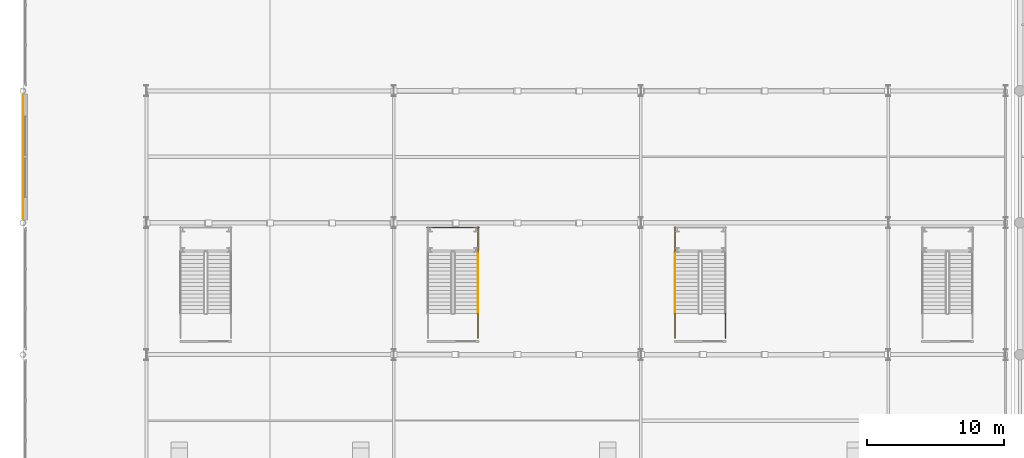
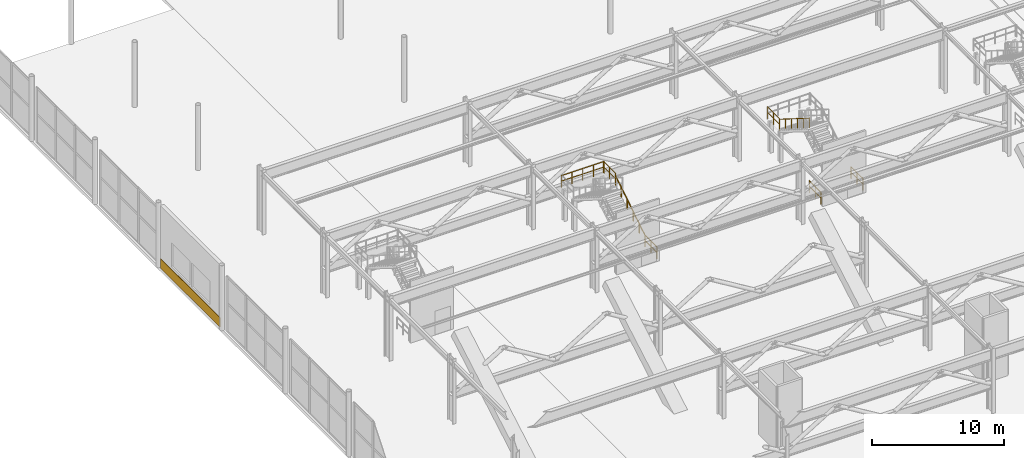
# One storey, part 88 of 113: 8 railings, 1 covering.
"""IFC4 building model written with IfcOpenShell, lengths in metres."""

from ifc_helpers import new_model, si_unit, direction, frame, origin, origin_2d, place, context, subcontext, project, spatial, rectangle, extrude, material, layer, layer_set, type_object, element, save


model = new_model("IFC4")

# Units and contexts
model_context = context("Model", 3, precision=1e-05, world=origin(), true_north=direction((0.0, 1.0)))
body_context = subcontext(model_context, "Body", "Model", "MODEL_VIEW")
ifc_project = project(units=[si_unit("LENGTHUNIT", "METRE"), si_unit("AREAUNIT", "SQUARE_METRE"), si_unit("VOLUMEUNIT", "CUBIC_METRE"), si_unit("PLANEANGLEUNIT", "RADIAN"), si_unit("MASSUNIT", "GRAM", prefix="KILO")], contexts=[model_context])

# Site, building, storey
site_placement = place(None, origin())
site = spatial("IfcSite", under=ifc_project, at=site_placement, CompositionType="ELEMENT")
building_placement = place(site_placement, origin())
building = spatial("IfcBuilding", under=site, at=building_placement, Name="Myrtia Square Station", CompositionType="ELEMENT")
storey_placement = place(building_placement, origin())
storey = spatial("IfcBuildingStorey", under=building, at=storey_placement, Name="L00", CompositionType="ELEMENT", Elevation=0.0)

# Covering
ifc_material_1 = material(Name="Polychrome glazed ceramic tile", Category="masonry")
ifc_layer = layer(ifc_material_1, 0.034912109375, Name="Polychrome glazed ceramic tile")
ifc_layer_set = layer_set([ifc_layer], Name="Polychrome glazed ceramic tile")
covering_type = type_object("IfcCoveringType", Name="COV-CLAD-FAIENCE", PredefinedType="CLADDING", material=ifc_layer_set)
covering_placement = place(storey_placement, frame((0.0224609375, 81.60009765625, 0.0), z_axis=(0.0, 0.0, 1.0), x_axis=(0.0, 1.0, 0.0)))
element("IfcCovering", 1, at=covering_placement, inside=storey, type_object=covering_type, Name="Spanish Colonial Revival dado cladding 006", PredefinedType="CLADDING", context=body_context, shape_type="SweptSolid", body=[
    extrude(rectangle(XDim=8.98388671875, YDim=0.034912109375, at=origin_2d()), origin(), (0.0, 0.0, 1.0), 0.8798828125),
])

# Railings
ifc_material_2 = material(Name="Dark bronze anodised aluminium", Category="aluminium")
railing_type_1 = type_object("IfcRailingType", Name="RL-HANDRAIL-900", PredefinedType="HANDRAIL", material=ifc_material_2)
railing_1_placement = place(storey_placement, frame((33.14990234375, 70.199951171875, 0.176513671875)))
element("IfcRailing", 2, at=railing_1_placement, inside=storey, type_object=railing_type_1, Name="L00 ST66 stair handrail 1", PredefinedType="HANDRAIL", context=body_context, shape_type="SweptSolid", body=[
    extrude(rectangle(XDim=0.048095703125, YDim=0.048095703125, at=origin_2d()), frame((0.0, 0.029296875, 0.894287109375), z_axis=(0.0, 0.845997938375, 0.533186166611), x_axis=(-1.0, 0.0, 0.0)), (0.0, 0.0, 1.0), 0.98974609375),
    extrude(rectangle(XDim=0.048095703125, YDim=0.048095703125, at=origin_2d()), frame((0.0, 0.92529296875, 1.458984375), z_axis=(0.0, 0.845997938375, 0.533186166611), x_axis=(-1.0, 0.0, 0.0)), (0.0, 0.0, 1.0), 0.98974609375),
    extrude(rectangle(XDim=0.048095703125, YDim=0.048095703125, at=origin_2d()), frame((0.0, 1.8212890625, 2.023681640625), z_axis=(0.0, 0.845997938375, 0.533186166611), x_axis=(-1.0, 0.0, 0.0)), (0.0, 0.0, 1.0), 0.98974609375),
    extrude(rectangle(XDim=0.048095703125, YDim=0.048095703125, at=origin_2d()), frame((0.0, 2.71728515625, 2.58837890625), z_axis=(0.0, 0.845997938375, 0.533186166611), x_axis=(-1.0, 0.0, 0.0)), (0.0, 0.0, 1.0), 0.98974609375),
    extrude(rectangle(XDim=0.048095703125, YDim=0.048095703125, at=origin_2d()), frame((0.0, 3.61328125, 3.153076171875), z_axis=(0.0, 0.845997938375, 0.533186166611), x_axis=(-1.0, 0.0, 0.0)), (0.0, 0.0, 1.0), 0.98974609375),
    extrude(rectangle(XDim=0.0439453125, YDim=0.0439453125, at=origin_2d()), origin(), (0.0, 0.0, 1.0), 0.89990234375),
    extrude(rectangle(XDim=0.0439453125, YDim=0.0439453125, at=origin_2d()), frame((0.0, 0.89599609375, 0.564697265625)), (0.0, 0.0, 1.0), 0.89990234375),
    extrude(rectangle(XDim=0.0439453125, YDim=0.0439453125, at=origin_2d()), frame((0.0, 1.7919921875, 1.12939453125)), (0.0, 0.0, 1.0), 0.89990234375),
    extrude(rectangle(XDim=0.0439453125, YDim=0.0439453125, at=origin_2d()), frame((0.0, 2.68798828125, 1.694091796875)), (0.0, 0.0, 1.0), 0.89990234375),
    extrude(rectangle(XDim=0.0439453125, YDim=0.0439453125, at=origin_2d()), frame((0.0, 3.583984375, 2.2587890625)), (0.0, 0.0, 1.0), 0.89990234375),
    extrude(rectangle(XDim=0.0439453125, YDim=0.0439453125, at=origin_2d()), frame((0.0, 4.47998046875, 2.823486328125)), (0.0, 0.0, 1.0), 0.89990234375),
])
railing_2_placement = place(storey_placement, frame((47.489990234375, 74.679931640625, 3.176513671875)))
element("IfcRailing", 3, at=railing_2_placement, inside=storey, type_object=railing_type_1, Name="L00 ST67 stair handrail 2", PredefinedType="HANDRAIL", context=body_context, shape_type="SweptSolid", body=[
    extrude(rectangle(XDim=0.048095703125, YDim=0.048095703125, at=origin_2d()), frame((0.0, -0.029296875, 0.894287109375), z_axis=(0.0, -0.845997938375, 0.533186166611), x_axis=(1.0, 0.0, 0.0)), (0.0, 0.0, 1.0), 0.98974609375),
    extrude(rectangle(XDim=0.048095703125, YDim=0.048095703125, at=origin_2d()), frame((0.0, -0.92529296875, 1.458984375), z_axis=(0.0, -0.845997938375, 0.533186166611), x_axis=(1.0, 0.0, 0.0)), (0.0, 0.0, 1.0), 0.98974609375),
    extrude(rectangle(XDim=0.048095703125, YDim=0.048095703125, at=origin_2d()), frame((0.0, -1.8212890625, 2.023681640625), z_axis=(0.0, -0.845997938375, 0.533186166611), x_axis=(1.0, 0.0, 0.0)), (0.0, 0.0, 1.0), 0.98974609375),
    extrude(rectangle(XDim=0.048095703125, YDim=0.048095703125, at=origin_2d()), frame((0.0, -2.71728515625, 2.58837890625), z_axis=(0.0, -0.845997938375, 0.533186166611), x_axis=(1.0, 0.0, 0.0)), (0.0, 0.0, 1.0), 0.98974609375),
    extrude(rectangle(XDim=0.048095703125, YDim=0.048095703125, at=origin_2d()), frame((0.0, -3.61328125, 3.153076171875), z_axis=(0.0, -0.845997938375, 0.533186166611), x_axis=(1.0, 0.0, 0.0)), (0.0, 0.0, 1.0), 0.98974609375),
    extrude(rectangle(XDim=0.0439453125, YDim=0.0439453125, at=origin_2d()), origin(), (0.0, 0.0, 1.0), 0.89990234375),
    extrude(rectangle(XDim=0.0439453125, YDim=0.0439453125, at=origin_2d()), frame((0.0, -0.89599609375, 0.564697265625)), (0.0, 0.0, 1.0), 0.89990234375),
    extrude(rectangle(XDim=0.0439453125, YDim=0.0439453125, at=origin_2d()), frame((0.0, -1.7919921875, 1.12939453125)), (0.0, 0.0, 1.0), 0.89990234375),
    extrude(rectangle(XDim=0.0439453125, YDim=0.0439453125, at=origin_2d()), frame((0.0, -2.68798828125, 1.694091796875)), (0.0, 0.0, 1.0), 0.89990234375),
    extrude(rectangle(XDim=0.0439453125, YDim=0.0439453125, at=origin_2d()), frame((0.0, -3.583984375, 2.2587890625)), (0.0, 0.0, 1.0), 0.89990234375),
    extrude(rectangle(XDim=0.0439453125, YDim=0.0439453125, at=origin_2d()), frame((0.0, -4.47998046875, 2.823486328125)), (0.0, 0.0, 1.0), 0.89990234375),
])
ifc_material_3 = material(Name="Wrought iron", Category="steel")
railing_type_2 = type_object("IfcRailingType", Name="RL-INT-GUARD-1100", PredefinedType="BALUSTRADE", material=ifc_material_3)
railing_3_placement = place(storey_placement, frame((33.14990234375, 74.679931640625, 3.0)))
element("IfcRailing", 4, at=railing_3_placement, inside=storey, type_object=railing_type_2, Name="L00 ST66 stair guard 3", PredefinedType="BALUSTRADE", context=body_context, shape_type="SweptSolid", body=[
    extrude(rectangle(XDim=0.048095703125, YDim=0.048095703125, at=origin_2d()), frame((0.0, 0.03466796875, 1.09619140625), z_axis=(0.0, 1.0, 0.0), x_axis=(-1.0, 0.0, 0.0)), (0.0, 0.0, 1.0), 0.8408203125),
    extrude(rectangle(XDim=0.048095703125, YDim=0.048095703125, at=origin_2d()), frame((0.0, 0.03466796875, 0.58251953125), z_axis=(0.0, 1.0, 0.0), x_axis=(-1.0, 0.0, 0.0)), (0.0, 0.0, 1.0), 0.8408203125),
    extrude(rectangle(XDim=0.048095703125, YDim=0.048095703125, at=origin_2d()), frame((0.0, 0.944580078125, 1.09619140625), z_axis=(0.0, 1.0, 0.0), x_axis=(-1.0, 0.0, 0.0)), (0.0, 0.0, 1.0), 0.8408203125),
    extrude(rectangle(XDim=0.048095703125, YDim=0.048095703125, at=origin_2d()), frame((0.0, 0.944580078125, 0.58251953125), z_axis=(0.0, 1.0, 0.0), x_axis=(-1.0, 0.0, 0.0)), (0.0, 0.0, 1.0), 0.8408203125),
    extrude(rectangle(XDim=0.0439453125, YDim=0.0439453125, at=origin_2d()), origin(), (0.0, 0.0, 1.0), 1.1201171875),
    extrude(rectangle(XDim=0.0439453125, YDim=0.0439453125, at=origin_2d()), frame((0.0, 0.91015625, 0.0)), (0.0, 0.0, 1.0), 1.1201171875),
    extrude(rectangle(XDim=0.0439453125, YDim=0.0439453125, at=origin_2d()), frame((0.0, 1.820068359375, 0.0)), (0.0, 0.0, 1.0), 1.1201171875),
])
railing_4_placement = place(storey_placement, frame((33.199951171875, 76.449951171875, 3.0)))
element("IfcRailing", 5, at=railing_4_placement, inside=storey, type_object=railing_type_2, Name="L00 ST66 stair guard 5", PredefinedType="BALUSTRADE", context=body_context, shape_type="SweptSolid", body=[
    extrude(rectangle(XDim=0.048095703125, YDim=0.048095703125, at=origin_2d()), frame((-0.03466796875, 0.0, 1.09619140625), z_axis=(-1.0, 0.0, 0.0), x_axis=(0.0, -1.0, 0.0)), (0.0, 0.0, 1.0), 0.87060546875),
    extrude(rectangle(XDim=0.048095703125, YDim=0.048095703125, at=origin_2d()), frame((-0.03466796875, 0.0, 0.58251953125), z_axis=(-1.0, 0.0, 0.0), x_axis=(0.0, -1.0, 0.0)), (0.0, 0.0, 1.0), 0.87060546875),
    extrude(rectangle(XDim=0.048095703125, YDim=0.048095703125, at=origin_2d()), frame((-0.974609375, 0.0, 1.09619140625), z_axis=(-1.0, 0.0, 0.0), x_axis=(0.0, -1.0, 0.0)), (0.0, 0.0, 1.0), 0.87060546875),
    extrude(rectangle(XDim=0.048095703125, YDim=0.048095703125, at=origin_2d()), frame((-0.974609375, 0.0, 0.58251953125), z_axis=(-1.0, 0.0, 0.0), x_axis=(0.0, -1.0, 0.0)), (0.0, 0.0, 1.0), 0.87060546875),
    extrude(rectangle(XDim=0.048095703125, YDim=0.048095703125, at=origin_2d()), frame((-1.91455078125, 0.0, 1.09619140625), z_axis=(-1.0, 0.0, 0.0), x_axis=(0.0, -1.0, 0.0)), (0.0, 0.0, 1.0), 0.87060546875),
    extrude(rectangle(XDim=0.048095703125, YDim=0.048095703125, at=origin_2d()), frame((-1.91455078125, 0.0, 0.58251953125), z_axis=(-1.0, 0.0, 0.0), x_axis=(0.0, -1.0, 0.0)), (0.0, 0.0, 1.0), 0.87060546875),
    extrude(rectangle(XDim=0.048095703125, YDim=0.048095703125, at=origin_2d()), frame((-2.854736328125, 0.0, 1.09619140625), z_axis=(-1.0, 0.0, 0.0), x_axis=(0.0, -1.0, 0.0)), (0.0, 0.0, 1.0), 0.87060546875),
    extrude(rectangle(XDim=0.048095703125, YDim=0.048095703125, at=origin_2d()), frame((-2.854736328125, 0.0, 0.58251953125), z_axis=(-1.0, 0.0, 0.0), x_axis=(0.0, -1.0, 0.0)), (0.0, 0.0, 1.0), 0.87060546875),
    extrude(rectangle(XDim=0.0439453125, YDim=0.0439453125, at=origin_2d()), origin(), (0.0, 0.0, 1.0), 1.1201171875),
    extrude(rectangle(XDim=0.0439453125, YDim=0.0439453125, at=origin_2d()), frame((-0.93994140625, 0.0, 0.0)), (0.0, 0.0, 1.0), 1.1201171875),
    extrude(rectangle(XDim=0.0439453125, YDim=0.0439453125, at=origin_2d()), frame((-1.8798828125, 0.0, 0.0)), (0.0, 0.0, 1.0), 1.1201171875),
    extrude(rectangle(XDim=0.0439453125, YDim=0.0439453125, at=origin_2d()), frame((-2.820068359375, 0.0, 0.0)), (0.0, 0.0, 1.0), 1.1201171875),
    extrude(rectangle(XDim=0.0439453125, YDim=0.0439453125, at=origin_2d()), frame((-3.760009765625, 0.0, 0.0)), (0.0, 0.0, 1.0), 1.1201171875),
])
railing_5_placement = place(storey_placement, frame((33.14990234375, 68.39990234375, 0.0)))
element("IfcRailing", 6, at=railing_5_placement, inside=storey, type_object=railing_type_2, Name="L00 ST66 stair guard 8", PredefinedType="BALUSTRADE", context=body_context, shape_type="SweptSolid", body=[
    extrude(rectangle(XDim=0.048095703125, YDim=0.048095703125, at=origin_2d()), frame((0.0, 0.03466796875, 1.09619140625), z_axis=(0.0, 1.0, 0.0), x_axis=(-1.0, 0.0, 0.0)), (0.0, 0.0, 1.0), 0.830810546875),
    extrude(rectangle(XDim=0.048095703125, YDim=0.048095703125, at=origin_2d()), frame((0.0, 0.03466796875, 0.58251953125), z_axis=(0.0, 1.0, 0.0), x_axis=(-1.0, 0.0, 0.0)), (0.0, 0.0, 1.0), 0.830810546875),
    extrude(rectangle(XDim=0.048095703125, YDim=0.048095703125, at=origin_2d()), frame((0.0, 0.9345703125, 1.09619140625), z_axis=(0.0, 1.0, 0.0), x_axis=(-1.0, 0.0, 0.0)), (0.0, 0.0, 1.0), 0.830810546875),
    extrude(rectangle(XDim=0.048095703125, YDim=0.048095703125, at=origin_2d()), frame((0.0, 0.9345703125, 0.58251953125), z_axis=(0.0, 1.0, 0.0), x_axis=(-1.0, 0.0, 0.0)), (0.0, 0.0, 1.0), 0.830810546875),
    extrude(rectangle(XDim=0.0439453125, YDim=0.0439453125, at=origin_2d()), origin(), (0.0, 0.0, 1.0), 1.1201171875),
    extrude(rectangle(XDim=0.0439453125, YDim=0.0439453125, at=origin_2d()), frame((0.0, 0.89990234375, 0.0)), (0.0, 0.0, 1.0), 1.1201171875),
    extrude(rectangle(XDim=0.0439453125, YDim=0.0439453125, at=origin_2d()), frame((0.0, 1.800048828125, 0.0)), (0.0, 0.0, 1.0), 1.1201171875),
])
railing_6_placement = place(storey_placement, frame((47.489990234375, 74.679931640625, 3.0)))
element("IfcRailing", 7, at=railing_6_placement, inside=storey, type_object=railing_type_2, Name="L00 ST67 stair guard 4", PredefinedType="BALUSTRADE", context=body_context, shape_type="SweptSolid", body=[
    extrude(rectangle(XDim=0.048095703125, YDim=0.048095703125, at=origin_2d()), frame((0.0, 0.03466796875, 1.09619140625), z_axis=(0.0, 1.0, 0.0), x_axis=(-1.0, 0.0, 0.0)), (0.0, 0.0, 1.0), 0.8408203125),
    extrude(rectangle(XDim=0.048095703125, YDim=0.048095703125, at=origin_2d()), frame((0.0, 0.03466796875, 0.58251953125), z_axis=(0.0, 1.0, 0.0), x_axis=(-1.0, 0.0, 0.0)), (0.0, 0.0, 1.0), 0.8408203125),
    extrude(rectangle(XDim=0.048095703125, YDim=0.048095703125, at=origin_2d()), frame((0.0, 0.944580078125, 1.09619140625), z_axis=(0.0, 1.0, 0.0), x_axis=(-1.0, 0.0, 0.0)), (0.0, 0.0, 1.0), 0.8408203125),
    extrude(rectangle(XDim=0.048095703125, YDim=0.048095703125, at=origin_2d()), frame((0.0, 0.944580078125, 0.58251953125), z_axis=(0.0, 1.0, 0.0), x_axis=(-1.0, 0.0, 0.0)), (0.0, 0.0, 1.0), 0.8408203125),
    extrude(rectangle(XDim=0.0439453125, YDim=0.0439453125, at=origin_2d()), origin(), (0.0, 0.0, 1.0), 1.1201171875),
    extrude(rectangle(XDim=0.0439453125, YDim=0.0439453125, at=origin_2d()), frame((0.0, 0.91015625, 0.0)), (0.0, 0.0, 1.0), 1.1201171875),
    extrude(rectangle(XDim=0.0439453125, YDim=0.0439453125, at=origin_2d()), frame((0.0, 1.820068359375, 0.0)), (0.0, 0.0, 1.0), 1.1201171875),
])
for number, where, name in (
    (8, (51.14990234375, 68.39990234375, 0.0), "L00 ST67 stair guard 8"),
    (9, (47.489990234375, 68.39990234375, 0.0), "L00 ST67 stair guard 9"),
):
    element("IfcRailing", number, at=place(storey_placement, frame(where)), inside=storey, type_object=railing_type_2, Name=name, PredefinedType="BALUSTRADE", context=body_context, shape_type="SweptSolid", body=[
        extrude(rectangle(XDim=0.048095703125, YDim=0.048095703125, at=origin_2d()), frame((0.0, 0.03466796875, 1.09619140625), z_axis=(0.0, 1.0, 0.0), x_axis=(-1.0, 0.0, 0.0)), (0.0, 0.0, 1.0), 0.830810546875),
        extrude(rectangle(XDim=0.048095703125, YDim=0.048095703125, at=origin_2d()), frame((0.0, 0.03466796875, 0.58251953125), z_axis=(0.0, 1.0, 0.0), x_axis=(-1.0, 0.0, 0.0)), (0.0, 0.0, 1.0), 0.830810546875),
        extrude(rectangle(XDim=0.048095703125, YDim=0.048095703125, at=origin_2d()), frame((0.0, 0.9345703125, 1.09619140625), z_axis=(0.0, 1.0, 0.0), x_axis=(-1.0, 0.0, 0.0)), (0.0, 0.0, 1.0), 0.830810546875),
        extrude(rectangle(XDim=0.048095703125, YDim=0.048095703125, at=origin_2d()), frame((0.0, 0.9345703125, 0.58251953125), z_axis=(0.0, 1.0, 0.0), x_axis=(-1.0, 0.0, 0.0)), (0.0, 0.0, 1.0), 0.830810546875),
        extrude(rectangle(XDim=0.0439453125, YDim=0.0439453125, at=origin_2d()), origin(), (0.0, 0.0, 1.0), 1.1201171875),
        extrude(rectangle(XDim=0.0439453125, YDim=0.0439453125, at=origin_2d()), frame((0.0, 0.89990234375, 0.0)), (0.0, 0.0, 1.0), 1.1201171875),
        extrude(rectangle(XDim=0.0439453125, YDim=0.0439453125, at=origin_2d()), frame((0.0, 1.800048828125, 0.0)), (0.0, 0.0, 1.0), 1.1201171875),
    ])

save(model, "model.ifc")
